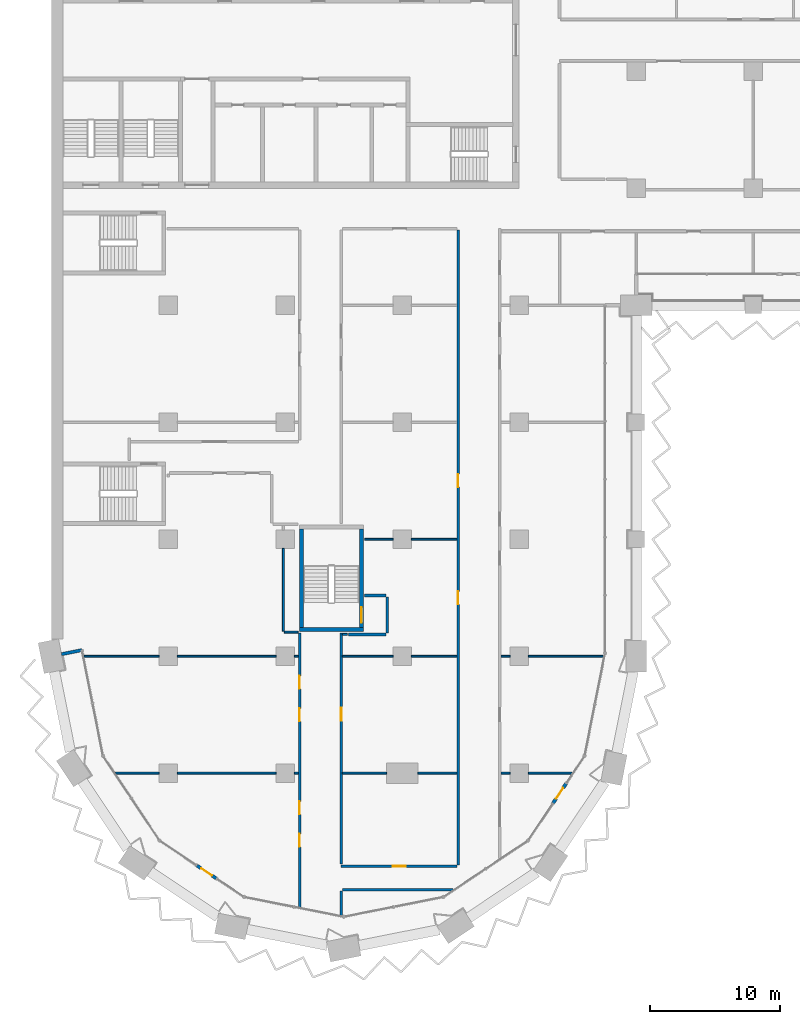
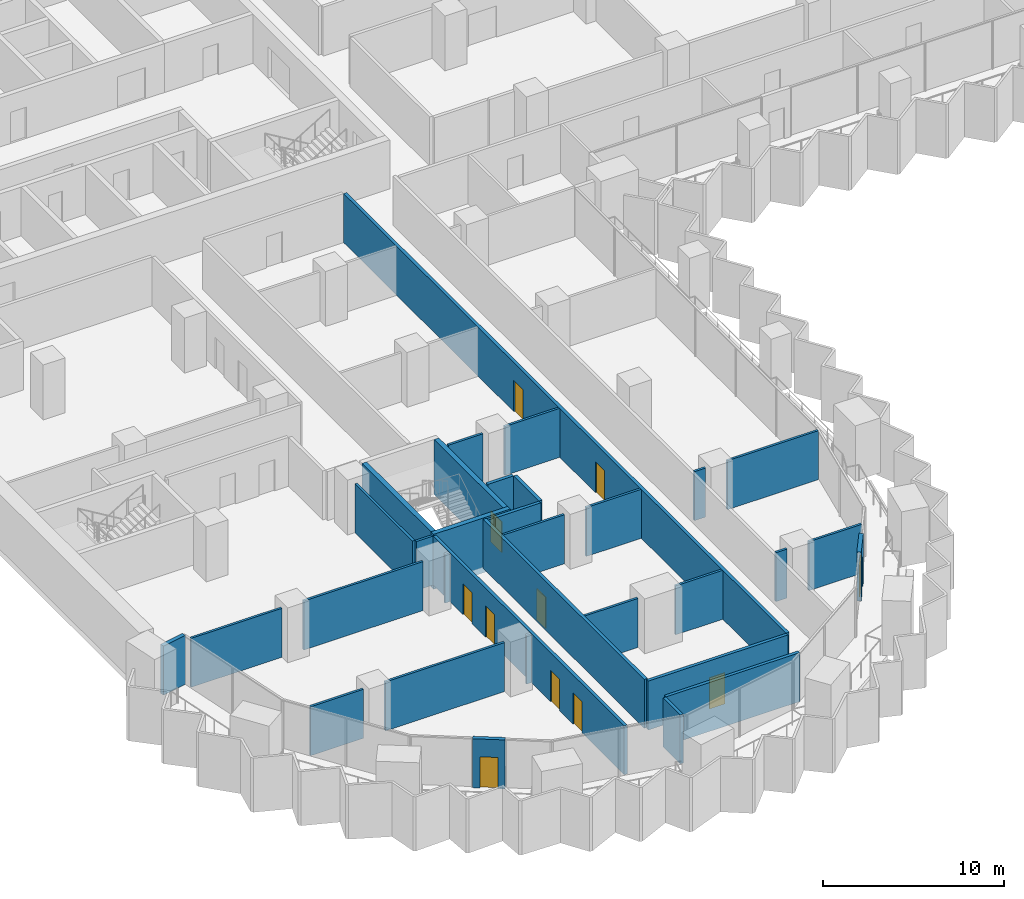
# One storey, part 10 of 29: 34 walls, 11 doors, 11 openings.
"""IFC4 building model written with IfcOpenShell, lengths in metres."""

import ifcopenshell
import ifcopenshell.guid

model = None  # the IFC model being written
_history = None  # IfcOwnerHistory: only IFC2X3 demands one
_inside = {}  # id of a spatial element -> (the spatial element, [elements in it])
_under = {}  # id of a project, library or spatial element -> (it, [spatial elements below it])
_declared = {}  # id of a project -> (the project, [libraries it declares])
_typed = {}  # id of a type object -> (the type object, [elements of that type])
_made_of = {}  # id of a material, layer set ... -> (it, [elements and type objects made of it])


def new_model(schema):
    """Start an empty IFC model of exactly this schema.

    Asked for "IFC4X3", IfcOpenShell would pick the latest addendum, in which some entities
    have other attributes; the version numbers below select the first issue.
    IFC2X3 requires an IfcOwnerHistory on every rooted entity: one is made here for all.
    """
    global model, _history
    if schema == "IFC4X3":
        model = ifcopenshell.file(schema_version=(4, 3, 0, 0))
    else:
        model = ifcopenshell.file(schema=schema)
    _inside.clear()
    _under.clear()
    _declared.clear()
    _typed.clear()
    _made_of.clear()
    _history = None
    if model.schema == "IFC2X3":
        org = make("IfcOrganization", Name="unknown")
        user = make(
            "IfcPersonAndOrganization",
            ThePerson=make("IfcPerson", FamilyName="unknown"),
            TheOrganization=org,
        )
        app = make(
            "IfcApplication",
            ApplicationDeveloper=org,
            Version="unknown",
            ApplicationFullName="unknown",
            ApplicationIdentifier="unknown",
        )
        _history = make(
            "IfcOwnerHistory",
            OwningUser=user,
            OwningApplication=app,
            ChangeAction="ADDED",
            CreationDate=0,
        )
    return model


def make(cls, **values):
    """One entity of the class cls with the attributes given. An attribute that is None is left unset."""
    return model.create_entity(
        cls, **{name: value for name, value in values.items() if value is not None}
    )


def rooted(cls, **values):
    """An entity with a GlobalId (a new one), such as an element, a storey or a relation."""
    return make(cls, GlobalId=ifcopenshell.guid.new(), OwnerHistory=_history, **values)


def si_unit(unit_type, name, prefix=None):
    """IfcSIUnit, for example si_unit("LENGTHUNIT", "METRE", prefix="MILLI")."""
    return make("IfcSIUnit", UnitType=unit_type, Prefix=prefix, Name=name)


def assignment(units):
    """IfcUnitAssignment: the units of a project."""
    return None if units is None else make("IfcUnitAssignment", Units=units)


def point(xyz):
    """IfcCartesianPoint."""
    return None if xyz is None else make("IfcCartesianPoint", Coordinates=xyz)


def direction(xyz):
    """IfcDirection."""
    return None if xyz is None else make("IfcDirection", DirectionRatios=xyz)


def frame(location, z_axis=None, x_axis=None):
    """IfcAxis2Placement3D, a coordinate frame: its origin and axes. An axis left out is left unset."""
    return make(
        "IfcAxis2Placement3D",
        Location=point(location),
        Axis=direction(z_axis),
        RefDirection=direction(x_axis),
    )


def frame_2d(location, x_axis=None):
    """IfcAxis2Placement2D, a coordinate frame in the plane: its origin and x axis."""
    return make(
        "IfcAxis2Placement2D", Location=point(location), RefDirection=direction(x_axis)
    )


def origin():
    """The frame at (0, 0, 0) with its axes left unset."""
    return frame((0.0, 0.0, 0.0))


def place(relative_to, where):
    """IfcLocalPlacement: puts the frame where relative to a parent placement (None: the world)."""
    return make(
        "IfcLocalPlacement", PlacementRelTo=relative_to, RelativePlacement=where
    )


def context(
    kind, dimensions, precision=None, world=None, true_north=None, identifier=None
):
    """IfcGeometricRepresentationContext, for example the 3D "Model" context."""
    return make(
        "IfcGeometricRepresentationContext",
        ContextIdentifier=identifier,
        ContextType=kind,
        CoordinateSpaceDimension=dimensions,
        Precision=precision,
        WorldCoordinateSystem=world,
        TrueNorth=true_north,
    )


def subcontext(parent, identifier, kind, view, scale=None):
    """IfcGeometricRepresentationSubContext, for example "Body" below "Model"."""
    return make(
        "IfcGeometricRepresentationSubContext",
        ContextIdentifier=identifier,
        ContextType=kind,
        ParentContext=parent,
        TargetScale=scale,
        TargetView=view,
    )


def project(units=None, contexts=None):
    """IfcProject with its units and contexts."""
    return rooted(
        "IfcProject",
        Name="project",
        RepresentationContexts=contexts,
        UnitsInContext=assignment(units),
    )


def spatial(cls, under=None, at=None, **own):
    """A site, building, storey or space (cls), placed at a placement, below another one or the project."""
    s = rooted(cls, ObjectPlacement=at, **own)
    if under is not None:
        _under.setdefault(under.id(), (under, []))[1].append(s)
    return s


def profile(cls, at=None, kind="AREA", **sizes):
    """A parametric profile (cls). Its sizes go by their IFC names, for example OverallWidth=200.0."""
    return make(cls, ProfileType=kind, Position=at, **sizes)


def rectangle(**sizes):
    """IfcRectangleProfileDef."""
    return profile("IfcRectangleProfileDef", **sizes)


def extrude(swept, where, along, depth):
    """IfcExtrudedAreaSolid: the profile swept, set in the frame where, extruded along a direction by depth."""
    return make(
        "IfcExtrudedAreaSolid",
        SweptArea=swept,
        Position=where,
        ExtrudedDirection=direction(along),
        Depth=depth,
    )


def shape(context_of_items, identifier, shape_type, items):
    """IfcShapeRepresentation: the items that make up one representation, for example the "Body"."""
    return make(
        "IfcShapeRepresentation",
        ContextOfItems=context_of_items,
        RepresentationIdentifier=identifier,
        RepresentationType=shape_type,
        Items=items,
    )


def material(Name=None, Category=None):
    """IfcMaterial."""
    return make("IfcMaterial", Name=Name, Category=Category)


def layer(
    of_material, thickness, ventilated=None, Name=None, Category=None, Priority=None
):
    """IfcMaterialLayer: one layer of a wall or slab, of a material (None: an air gap)."""
    return make(
        "IfcMaterialLayer",
        Material=of_material,
        LayerThickness=thickness,
        IsVentilated=ventilated,
        Name=Name,
        Category=Category,
        Priority=Priority,
    )


def layer_set(layers, Name=None):
    """IfcMaterialLayerSet."""
    return make("IfcMaterialLayerSet", MaterialLayers=layers, LayerSetName=Name)


def made_of(thing, what):
    """Note that an element or type object is made of a material, layer set ...; save() writes the relation."""
    if what is not None:
        _made_of.setdefault(what.id(), (what, []))[1].append(thing)
    return thing


def type_object(cls, material=None, **own):
    """A type object (cls), such as IfcWallType, which elements share."""
    return made_of(rooted(cls, **own), material)


def element(
    cls,
    number,
    at=None,
    inside=None,
    cuts=None,
    type_object=None,
    material=None,
    context=None,
    identifier="Body",
    shape_type=None,
    held_by="IfcProductDefinitionShape",
    body=None,
    shapes=None,
    **own,
):
    """One element of the class cls, such as IfcWall. Its Tag is "e" and its number.

    at: its placement. inside: the storey or other place that contains it. cuts: it is an
    opening in that element (IfcRelVoidsElement). A single representation is given by context,
    identifier, shape_type and body (its items); several are given by shapes. held_by: the class
    of the entity that holds the representations. save() writes the other relations.
    """
    e = rooted(cls, Tag="e%d" % number, ObjectPlacement=at, **own)
    if body is not None:
        shapes = [shape(context, identifier, shape_type, body)]
    if shapes is not None:
        e.Representation = make(held_by, Representations=shapes)
    if inside is not None:
        _inside.setdefault(inside.id(), (inside, []))[1].append(e)
    if cuts is not None:
        rooted(
            "IfcRelVoidsElement", RelatingBuildingElement=cuts, RelatedOpeningElement=e
        )
    if type_object is not None:
        _typed.setdefault(type_object.id(), (type_object, []))[1].append(e)
    return made_of(e, material)


def fill(opening, filler):
    """IfcRelFillsElement: the door or window that sits in an opening."""
    return rooted(
        "IfcRelFillsElement",
        RelatingOpeningElement=opening,
        RelatedBuildingElement=filler,
    )


def aggregate(whole, parts):
    """IfcRelAggregates: a whole, such as a stair, and the parts it consists of."""
    return rooted("IfcRelAggregates", RelatingObject=whole, RelatedObjects=parts)


def save(model, path):
    """Write the relations noted so far, then the file.

    IfcRelAggregates (storeys below a building ...), IfcRelContainedInSpatialStructure (elements
    in a storey), IfcRelDefinesByType, IfcRelAssociatesMaterial and IfcRelDeclares: one each for
    every whole, place, type object, material and project.
    """
    for whole, parts in _under.values():
        aggregate(whole, parts)
    for where, things in _inside.values():
        rooted(
            "IfcRelContainedInSpatialStructure",
            RelatedElements=things,
            RelatingStructure=where,
        )
    for kind, things in _typed.values():
        rooted("IfcRelDefinesByType", RelatedObjects=things, RelatingType=kind)
    for what, things in _made_of.values():
        rooted("IfcRelAssociatesMaterial", RelatedObjects=things, RelatingMaterial=what)
    for by, libraries in _declared.values():
        rooted("IfcRelDeclares", RelatingContext=by, RelatedDefinitions=libraries)
    model.write(path)


model = new_model("IFC4")

# Units and contexts
model_context = context("Model", 3, precision=1e-05, world=origin(), true_north=direction((0.0, 1.0)))
body_context = subcontext(model_context, "Body", "Model", "MODEL_VIEW")
ifc_project = project(units=[si_unit("LENGTHUNIT", "METRE"), si_unit("AREAUNIT", "SQUARE_METRE"), si_unit("VOLUMEUNIT", "CUBIC_METRE"), si_unit("PLANEANGLEUNIT", "RADIAN"), si_unit("MASSUNIT", "GRAM", prefix="KILO")], contexts=[model_context])

# Site, building, storey
site_placement = place(None, origin())
site = spatial("IfcSite", under=ifc_project, at=site_placement, CompositionType="ELEMENT")
building_placement = place(site_placement, origin())
building = spatial("IfcBuilding", under=site, at=building_placement, Name="Hunhe Ridgeline Campus", CompositionType="ELEMENT")
storey_placement = place(building_placement, frame((0.0, 0.0, 46.89990234375)))
storey = spatial("IfcBuildingStorey", under=building, at=storey_placement, Name="L10", CompositionType="ELEMENT", Elevation=46.89990234375)

# Walls
ifc_material_1 = material(Name="Concrete C30", Category="concrete")
ifc_layer_1 = layer(ifc_material_1, 0.25)
ifc_layer_set_1 = layer_set([ifc_layer_1], Name="Corner return wall 250 Concrete C30")
wall_type_1 = type_object("IfcWallType", Name="Corner return wall 250 Concrete C30", PredefinedType="SOLIDWALL", material=ifc_layer_set_1)
wall_1_placement = place(storey_placement, frame((0.784423828125, 27.15673828125, 0.0), z_axis=(0.0, 0.0, 1.0), x_axis=(0.980826234823, 0.19488431718, 0.0)))
element("IfcWall", 1, at=wall_1_placement, inside=storey, type_object=wall_type_1, Name="Corner return wall 1", PredefinedType="SOLIDWALL", context=body_context, shape_type="SweptSolid", body=[
    extrude(rectangle(XDim=1.60107421875, YDim=0.25, at=frame_2d((0.800537109375, 0.0))), origin(), (0.0, 0.0, 1.0), 3.300048828125),
])
ifc_material_2 = material(Name="Gypsum board partition")
ifc_layer_2 = layer(ifc_material_2, 0.199951171875)
ifc_layer_set_2 = layer_set([ifc_layer_2], Name="Corridor partition 200 gypsum board on steel studs")
wall_type_2 = type_object("IfcWallType", Name="Corridor partition 200 gypsum board on steel studs", PredefinedType="PARTITIONING", material=ifc_layer_set_2)
wall_2_placement = place(storey_placement, frame((30.921142578125, 9.0390625, 0.0), z_axis=(0.0, 0.0, 1.0), x_axis=(-1.0, 0.0, 0.0)))
element("IfcWall", 2, at=wall_2_placement, inside=storey, type_object=wall_type_2, Name="F-L10-wall-001", PredefinedType="PARTITIONING", context=body_context, shape_type="SweptSolid", body=[
    extrude(rectangle(XDim=8.521240234375, YDim=0.199951171875, at=frame_2d((4.2607421875, 0.0))), origin(), (0.0, 0.0, 1.0), 3.300048828125),
])

# Wall, opening, door
wall_3_placement = place(storey_placement, frame((22.300048828125, 10.839111328125, 0.0), z_axis=(0.0, 0.0, 1.0), x_axis=(1.0, 0.0, 0.0)))
wall_3 = element("IfcWall", 3, at=wall_3_placement, inside=storey, type_object=wall_type_2, Name="F-L10-wall-002", PredefinedType="PARTITIONING", context=body_context, shape_type="SweptSolid", body=[
    extrude(rectangle(XDim=8.89990234375, YDim=0.199951171875, at=frame_2d((4.449951171875, 0.0))), origin(), (0.0, 0.0, 1.0), 3.300048828125),
])
opening_1_placement = place(wall_3_placement, frame((3.949951171875, 0.0, 0.0)))
opening_1 = element("IfcOpeningElement", 4, at=opening_1_placement, cuts=wall_3, Name="Opening RD1-001", PredefinedType="OPENING", context=body_context, shape_type="SweptSolid", body=[
    extrude(rectangle(XDim=1.0, YDim=2.10009765625, at=frame_2d((0.5, 1.050048828125))), frame((0.0, 0.10009765625, 0.0), z_axis=(0.0, -1.0, 0.0), x_axis=(1.0, 0.0, 0.0)), (0.0, 0.0, 1.0), 0.199951171875),
])
ifc_material_3 = material(Name="Timber door leaf", Category="wood")
door_type_1 = type_object("IfcDoorType", Name="Single fire door 1000x2100 timber FD60", OperationType="NOTDEFINED", PredefinedType="DOOR", material=ifc_material_3)
door_1_placement = place(opening_1_placement, origin())
door_1 = element("IfcDoor", 5, at=door_1_placement, inside=storey, type_object=door_type_1, Name="F-L10-door-001", OperationType="SINGLE_SWING_RIGHT", OverallHeight=2.10009765625, OverallWidth=1.0, PredefinedType="DOOR", context=body_context, shape_type="SweptSolid", body=[
    extrude(rectangle(XDim=1.0, YDim=2.10009765625, at=frame_2d((0.5, 1.050048828125))), frame((0.0, 0.02490234375, 0.0), z_axis=(0.0, -1.0, 0.0), x_axis=(1.0, 0.0, 0.0)), (0.0, 0.0, 1.0), 0.050048828125),
])
fill(opening_1, door_1)

# Walls
wall_4_placement = place(storey_placement, frame((25.75, 28.675048828125, 0.0), z_axis=(0.0, 0.0, 1.0), x_axis=(-1.0, 0.0, 0.0)))
element("IfcWall", 6, at=wall_4_placement, inside=storey, type_object=wall_type_2, Name="F-L10-wall-017", PredefinedType="PARTITIONING", context=body_context, shape_type="SweptSolid", body=[
    extrude(rectangle(XDim=2.89990234375, YDim=0.199951171875, at=frame_2d((1.449951171875, 0.0))), origin(), (0.0, 0.0, 1.0), 3.300048828125),
])
wall_5_placement = place(storey_placement, frame((24.10400390625, 31.675048828125, 0.0), z_axis=(0.0, 0.0, 1.0), x_axis=(1.0, 0.0, 0.0)))
element("IfcWall", 7, at=wall_5_placement, inside=storey, type_object=wall_type_2, Name="F-L10-wall-020", PredefinedType="PARTITIONING", context=body_context, shape_type="SweptSolid", body=[
    extrude(rectangle(XDim=1.64599609375, YDim=0.199951171875, at=frame_2d((0.822998046875, 0.0))), origin(), (0.0, 0.0, 1.0), 3.300048828125),
])

# Wall, openings, doors
wall_6_placement = place(storey_placement, frame((19.10009765625, 7.679443359375, 0.0), z_axis=(0.0, 0.0, 1.0), x_axis=(0.0, 1.0, 0.0)))
wall_6 = element("IfcWall", 8, at=wall_6_placement, inside=storey, type_object=wall_type_2, Name="F-L10-wall-060", PredefinedType="PARTITIONING", context=body_context, shape_type="SweptSolid", body=[
    extrude(rectangle(XDim=21.095458984375, YDim=0.199951171875, at=frame_2d((10.5478515625, 0.0))), origin(), (0.0, 0.0, 1.0), 3.300048828125),
])
opening_2_placement = place(wall_6_placement, frame((4.648193359375, 0.0, 0.0)))
opening_2 = element("IfcOpeningElement", 9, at=opening_2_placement, cuts=wall_6, Name="Opening RD1-002", PredefinedType="OPENING", context=body_context, shape_type="SweptSolid", body=[
    extrude(rectangle(XDim=1.0, YDim=2.10009765625, at=frame_2d((0.5, 1.050048828125))), frame((0.0, 0.10009765625, 0.0), z_axis=(0.0, -1.0, 0.0), x_axis=(1.0, 0.0, 0.0)), (0.0, 0.0, 1.0), 0.199951171875),
])
opening_3_placement = place(wall_6_placement, frame((7.148193359375, 0.0, 0.0)))
opening_3 = element("IfcOpeningElement", 10, at=opening_3_placement, cuts=wall_6, Name="Opening RD1-004", PredefinedType="OPENING", context=body_context, shape_type="SweptSolid", body=[
    extrude(rectangle(XDim=1.0, YDim=2.10009765625, at=frame_2d((0.5, 1.050048828125))), frame((0.0, 0.10009765625, 0.0), z_axis=(0.0, -1.0, 0.0), x_axis=(1.0, 0.0, 0.0)), (0.0, 0.0, 1.0), 0.199951171875),
])
opening_4_placement = place(wall_6_placement, frame((14.317138671875, 0.0, 0.0)))
opening_4 = element("IfcOpeningElement", 11, at=opening_4_placement, cuts=wall_6, Name="Opening RD1-005", PredefinedType="OPENING", context=body_context, shape_type="SweptSolid", body=[
    extrude(rectangle(XDim=1.0, YDim=2.10009765625, at=frame_2d((0.5, 1.050048828125))), frame((0.0, 0.10009765625, 0.0), z_axis=(0.0, -1.0, 0.0), x_axis=(1.0, 0.0, 0.0)), (0.0, 0.0, 1.0), 0.199951171875),
])
opening_5_placement = place(wall_6_placement, frame((16.817138671875, 0.0, 0.0)))
opening_5 = element("IfcOpeningElement", 12, at=opening_5_placement, cuts=wall_6, Name="Opening RD1-008", PredefinedType="OPENING", context=body_context, shape_type="SweptSolid", body=[
    extrude(rectangle(XDim=1.0, YDim=2.10009765625, at=frame_2d((0.5, 1.050048828125))), frame((0.0, 0.10009765625, 0.0), z_axis=(0.0, -1.0, 0.0), x_axis=(1.0, 0.0, 0.0)), (0.0, 0.0, 1.0), 0.199951171875),
])
door_2_placement = place(opening_2_placement, frame((1.0, 0.0, 0.0), z_axis=(0.0, 0.0, 1.0), x_axis=(-1.0, 0.0, 0.0)))
door_2 = element("IfcDoor", 13, at=door_2_placement, inside=storey, type_object=door_type_1, Name="F-L10-door-002", OperationType="SINGLE_SWING_LEFT", OverallHeight=2.10009765625, OverallWidth=1.0, PredefinedType="DOOR", context=body_context, shape_type="SweptSolid", body=[
    extrude(rectangle(XDim=1.0, YDim=2.10009765625, at=frame_2d((0.5, 1.050048828125))), frame((0.0, 0.02490234375, 0.0), z_axis=(0.0, -1.0, 0.0), x_axis=(1.0, 0.0, 0.0)), (0.0, 0.0, 1.0), 0.050048828125),
])
fill(opening_2, door_2)
door_3_placement = place(opening_3_placement, frame((1.0, 0.0, 0.0), z_axis=(0.0, 0.0, 1.0), x_axis=(-1.0, 0.0, 0.0)))
door_3 = element("IfcDoor", 14, at=door_3_placement, inside=storey, type_object=door_type_1, Name="F-L10-door-004", OperationType="SINGLE_SWING_LEFT", OverallHeight=2.10009765625, OverallWidth=1.0, PredefinedType="DOOR", context=body_context, shape_type="SweptSolid", body=[
    extrude(rectangle(XDim=1.0, YDim=2.10009765625, at=frame_2d((0.5, 1.050048828125))), frame((0.0, 0.02490234375, 0.0), z_axis=(0.0, -1.0, 0.0), x_axis=(1.0, 0.0, 0.0)), (0.0, 0.0, 1.0), 0.050048828125),
])
fill(opening_3, door_3)
door_4_placement = place(opening_4_placement, frame((1.0, 0.0, 0.0), z_axis=(0.0, 0.0, 1.0), x_axis=(-1.0, 0.0, 0.0)))
door_4 = element("IfcDoor", 15, at=door_4_placement, inside=storey, type_object=door_type_1, Name="F-L10-door-005", OperationType="SINGLE_SWING_LEFT", OverallHeight=2.10009765625, OverallWidth=1.0, PredefinedType="DOOR", context=body_context, shape_type="SweptSolid", body=[
    extrude(rectangle(XDim=1.0, YDim=2.10009765625, at=frame_2d((0.5, 1.050048828125))), frame((0.0, 0.02490234375, 0.0), z_axis=(0.0, -1.0, 0.0), x_axis=(1.0, 0.0, 0.0)), (0.0, 0.0, 1.0), 0.050048828125),
])
fill(opening_4, door_4)
door_5_placement = place(opening_5_placement, frame((1.0, 0.0, 0.0), z_axis=(0.0, 0.0, 1.0), x_axis=(-1.0, 0.0, 0.0)))
door_5 = element("IfcDoor", 16, at=door_5_placement, inside=storey, type_object=door_type_1, Name="F-L10-door-008", OperationType="SINGLE_SWING_LEFT", OverallHeight=2.10009765625, OverallWidth=1.0, PredefinedType="DOOR", context=body_context, shape_type="SweptSolid", body=[
    extrude(rectangle(XDim=1.0, YDim=2.10009765625, at=frame_2d((0.5, 1.050048828125))), frame((0.0, 0.02490234375, 0.0), z_axis=(0.0, -1.0, 0.0), x_axis=(1.0, 0.0, 0.0)), (0.0, 0.0, 1.0), 0.050048828125),
])
fill(opening_5, door_5)

# Wall
wall_7_placement = place(storey_placement, frame((22.300048828125, 8.93896484375, 0.0), z_axis=(0.0, 0.0, 1.0), x_axis=(0.0, -1.0, 0.0)))
element("IfcWall", 17, at=wall_7_placement, inside=storey, type_object=wall_type_2, Name="F-L10-wall-062", PredefinedType="PARTITIONING", context=body_context, shape_type="SweptSolid", body=[
    extrude(rectangle(XDim=1.89599609375, YDim=0.199951171875, at=frame_2d((0.947998046875, 0.0))), origin(), (0.0, 0.0, 1.0), 3.300048828125),
])

# Wall, opening, door
wall_8_placement = place(storey_placement, frame((22.300048828125, 28.7958984375, 0.0), z_axis=(0.0, 0.0, 1.0), x_axis=(0.0, -1.0, 0.0)))
wall_8 = element("IfcWall", 18, at=wall_8_placement, inside=storey, type_object=wall_type_2, Name="F-L10-wall-063", PredefinedType="PARTITIONING", context=body_context, shape_type="SweptSolid", body=[
    extrude(rectangle(XDim=17.7978515625, YDim=0.199951171875, at=frame_2d((8.89892578125, 0.0))), origin(), (0.0, 0.0, 1.0), 3.300048828125),
])
opening_6_placement = place(wall_8_placement, frame((5.766845703125, 0.0, 0.0)))
opening_6 = element("IfcOpeningElement", 19, at=opening_6_placement, cuts=wall_8, Name="Opening RD1-006", PredefinedType="OPENING", context=body_context, shape_type="SweptSolid", body=[
    extrude(rectangle(XDim=1.0, YDim=2.10009765625, at=frame_2d((0.5, 1.050048828125))), frame((0.0, 0.10009765625, 0.0), z_axis=(0.0, -1.0, 0.0), x_axis=(1.0, 0.0, 0.0)), (0.0, 0.0, 1.0), 0.199951171875),
])
door_6_placement = place(opening_6_placement, origin())
door_6 = element("IfcDoor", 20, at=door_6_placement, inside=storey, type_object=door_type_1, Name="F-L10-door-006", OperationType="SINGLE_SWING_LEFT", OverallHeight=2.10009765625, OverallWidth=1.0, PredefinedType="DOOR", context=body_context, shape_type="SweptSolid", body=[
    extrude(rectangle(XDim=1.0, YDim=2.10009765625, at=frame_2d((0.5, 1.050048828125))), frame((0.0, 0.02490234375, 0.0), z_axis=(0.0, -1.0, 0.0), x_axis=(1.0, 0.0, 0.0)), (0.0, 0.0, 1.0), 0.050048828125),
])
fill(opening_6, door_6)

# Wall
wall_9_placement = place(storey_placement, frame((25.85009765625, 31.574951171875, 0.0), z_axis=(0.0, 0.0, 1.0), x_axis=(0.0, -1.0, 0.0)))
element("IfcWall", 21, at=wall_9_placement, inside=storey, type_object=wall_type_2, Name="F-L10-wall-065", PredefinedType="PARTITIONING", context=body_context, shape_type="SweptSolid", body=[
    extrude(rectangle(XDim=2.800048828125, YDim=0.199951171875, at=frame_2d((1.39990234375, 0.0))), origin(), (0.0, 0.0, 1.0), 3.300048828125),
])

# Wall, openings, doors
wall_10_placement = place(storey_placement, frame((31.300048828125, 10.93896484375, 0.0), z_axis=(0.0, 0.0, 1.0), x_axis=(0.0, 1.0, 0.0)))
wall_10 = element("IfcWall", 22, at=wall_10_placement, inside=storey, type_object=wall_type_2, Name="F-L10-wall-066", PredefinedType="PARTITIONING", context=body_context, shape_type="SweptSolid", body=[
    extrude(rectangle(XDim=48.861083984375, YDim=0.199951171875, at=frame_2d((24.4306640625, 0.0))), origin(), (0.0, 0.0, 1.0), 3.300048828125),
])
opening_7_placement = place(wall_10_placement, frame((20.046630859375, 0.0, 0.0)))
opening_7 = element("IfcOpeningElement", 23, at=opening_7_placement, cuts=wall_10, Name="Opening RD1-009", PredefinedType="OPENING", context=body_context, shape_type="SweptSolid", body=[
    extrude(rectangle(XDim=1.0, YDim=2.10009765625, at=frame_2d((0.5, 1.050048828125))), frame((0.0, 0.10009765625, 0.0), z_axis=(0.0, -1.0, 0.0), x_axis=(1.0, 0.0, 0.0)), (0.0, 0.0, 1.0), 0.199951171875),
])
opening_8_placement = place(wall_10_placement, frame((29.067138671875, 0.0, 0.0)))
opening_8 = element("IfcOpeningElement", 24, at=opening_8_placement, cuts=wall_10, Name="Opening RD1-012", PredefinedType="OPENING", context=body_context, shape_type="SweptSolid", body=[
    extrude(rectangle(XDim=1.0, YDim=2.10009765625, at=frame_2d((0.5, 1.050048828125))), frame((0.0, 0.10009765625, 0.0), z_axis=(0.0, -1.0, 0.0), x_axis=(1.0, 0.0, 0.0)), (0.0, 0.0, 1.0), 0.199951171875),
])
door_7_placement = place(opening_7_placement, origin())
door_7 = element("IfcDoor", 25, at=door_7_placement, inside=storey, type_object=door_type_1, Name="F-L10-door-009", OperationType="SINGLE_SWING_RIGHT", OverallHeight=2.10009765625, OverallWidth=1.0, PredefinedType="DOOR", context=body_context, shape_type="SweptSolid", body=[
    extrude(rectangle(XDim=1.0, YDim=2.10009765625, at=frame_2d((0.5, 1.050048828125))), frame((0.0, 0.02490234375, 0.0), z_axis=(0.0, -1.0, 0.0), x_axis=(1.0, 0.0, 0.0)), (0.0, 0.0, 1.0), 0.050048828125),
])
fill(opening_7, door_7)
door_8_placement = place(opening_8_placement, origin())
door_8 = element("IfcDoor", 26, at=door_8_placement, inside=storey, type_object=door_type_1, Name="F-L10-door-012", OperationType="SINGLE_SWING_RIGHT", OverallHeight=2.10009765625, OverallWidth=1.0, PredefinedType="DOOR", context=body_context, shape_type="SweptSolid", body=[
    extrude(rectangle(XDim=1.0, YDim=2.10009765625, at=frame_2d((0.5, 1.050048828125))), frame((0.0, 0.02490234375, 0.0), z_axis=(0.0, -1.0, 0.0), x_axis=(1.0, 0.0, 0.0)), (0.0, 0.0, 1.0), 0.050048828125),
])
fill(opening_8, door_8)

# Wall, opening, door
ifc_layer_3 = layer(ifc_material_1, 0.25)
ifc_layer_set_3 = layer_set([ifc_layer_3], Name="Loggia door pier wall 250 Concrete C30")
wall_type_3 = type_object("IfcWallType", Name="Loggia door pier wall 250 Concrete C30", PredefinedType="SOLIDWALL", material=ifc_layer_set_3)
wall_11_placement = place(storey_placement, frame((11.19970703125, 10.897705078125, 0.0), z_axis=(0.0, 0.0, 1.0), x_axis=(0.83146554274, -0.555576323502, 0.0)))
wall_11 = element("IfcWall", 27, at=wall_11_placement, inside=storey, type_object=wall_type_3, Name="Loggia door pier 1", PredefinedType="SOLIDWALL", context=body_context, shape_type="SweptSolid", body=[
    extrude(rectangle(XDim=1.800048828125, YDim=0.25, at=frame_2d((0.89990234375, 0.0))), origin(), (0.0, 0.0, 1.0), 3.300048828125),
])
opening_9_placement = place(wall_11_placement, frame((0.39990234375, 0.0, 0.0)))
opening_9 = element("IfcOpeningElement", 28, at=opening_9_placement, cuts=wall_11, Name="Opening BD102", PredefinedType="OPENING", context=body_context, shape_type="SweptSolid", body=[
    extrude(rectangle(XDim=1.0, YDim=2.10009765625, at=frame_2d((0.5, 1.050048828125))), frame((0.0, 0.125, 0.0), z_axis=(0.0, -1.0, 0.0), x_axis=(1.0, 0.0, 0.0)), (0.0, 0.0, 1.0), 0.25),
])
ifc_material_4 = material(Name="Aluminium 6063", Category="aluminium")
door_type_2 = type_object("IfcDoorType", Name="Loggia glazed door 1000x2100", OperationType="NOTDEFINED", PredefinedType="DOOR", material=ifc_material_4)
door_9_placement = place(opening_9_placement, frame((1.0, 0.0, 0.0), z_axis=(0.0, 0.0, 1.0), x_axis=(-1.0, 0.0, 0.0)))
door_9 = element("IfcDoor", 29, at=door_9_placement, inside=storey, type_object=door_type_2, Name="Loggia door BD102", OperationType="SINGLE_SWING_LEFT", OverallHeight=2.10009765625, OverallWidth=1.0, PredefinedType="DOOR", context=body_context, shape_type="SweptSolid", body=[
    extrude(rectangle(XDim=1.0, YDim=2.10009765625, at=frame_2d((0.5, 1.050048828125))), frame((0.0, 0.02490234375, 0.0), z_axis=(0.0, -1.0, 0.0), x_axis=(1.0, 0.0, 0.0)), (0.0, 0.0, 1.0), 0.050048828125),
])
fill(opening_9, door_9)

wall_12_placement = place(storey_placement, frame((38.602294921875, 15.69970703125, 0.0), z_axis=(0.0, 0.0, 1.0), x_axis=(0.555576323502, 0.83146554274, 0.0)))
wall_12 = element("IfcWall", 30, at=wall_12_placement, inside=storey, type_object=wall_type_3, Name="Loggia door pier 2", PredefinedType="SOLIDWALL", context=body_context, shape_type="SweptSolid", body=[
    extrude(rectangle(XDim=1.800048828125, YDim=0.25, at=frame_2d((0.89990234375, 0.0))), origin(), (0.0, 0.0, 1.0), 3.300048828125),
])
opening_10_placement = place(wall_12_placement, frame((0.39990234375, 0.0, 0.0)))
opening_10 = element("IfcOpeningElement", 31, at=opening_10_placement, cuts=wall_12, Name="Opening BD104", PredefinedType="OPENING", context=body_context, shape_type="SweptSolid", body=[
    extrude(rectangle(XDim=1.0, YDim=2.10009765625, at=frame_2d((0.5, 1.050048828125))), frame((0.0, 0.125, 0.0), z_axis=(0.0, -1.0, 0.0), x_axis=(1.0, 0.0, 0.0)), (0.0, 0.0, 1.0), 0.25),
])
door_10_placement = place(opening_10_placement, frame((1.0, 0.0, 0.0), z_axis=(0.0, 0.0, 1.0), x_axis=(-1.0, 0.0, 0.0)))
door_10 = element("IfcDoor", 32, at=door_10_placement, inside=storey, type_object=door_type_2, Name="Loggia door BD104", OperationType="SINGLE_SWING_LEFT", OverallHeight=2.10009765625, OverallWidth=1.0, PredefinedType="DOOR", context=body_context, shape_type="SweptSolid", body=[
    extrude(rectangle(XDim=1.0, YDim=2.10009765625, at=frame_2d((0.5, 1.050048828125))), frame((0.0, 0.02490234375, 0.0), z_axis=(0.0, -1.0, 0.0), x_axis=(1.0, 0.0, 0.0)), (0.0, 0.0, 1.0), 0.050048828125),
])
fill(opening_10, door_10)

# Walls
ifc_layer_4 = layer(ifc_material_2, 0.14990234375)
ifc_layer_set_4 = layer_set([ifc_layer_4], Name="Room partition 150 gypsum board on steel studs")
wall_type_4 = type_object("IfcWallType", Name="Room partition 150 gypsum board on steel studs", PredefinedType="PARTITIONING", material=ifc_layer_set_4)
wall_13_placement = place(storey_placement, frame((4.925537109375, 18.0, 0.0), z_axis=(0.0, 0.0, 1.0), x_axis=(1.0, 0.0, 0.0)))
element("IfcWall", 33, at=wall_13_placement, inside=storey, type_object=wall_type_4, Name="F-L10-wall-003", PredefinedType="PARTITIONING", context=body_context, shape_type="SweptSolid", body=[
    extrude(rectangle(XDim=3.37451171875, YDim=0.14990234375, at=frame_2d((1.687255859375, 0.0))), origin(), (0.0, 0.0, 1.0), 3.300048828125),
])
wall_14_placement = place(storey_placement, frame((9.699951171875, 18.0, 0.0), z_axis=(0.0, 0.0, 1.0), x_axis=(1.0, 0.0, 0.0)))
element("IfcWall", 34, at=wall_14_placement, inside=storey, type_object=wall_type_4, Name="F-L10-wall-004", PredefinedType="PARTITIONING", context=body_context, shape_type="SweptSolid", body=[
    extrude(rectangle(XDim=7.60009765625, YDim=0.14990234375, at=frame_2d((3.800048828125, 0.0))), origin(), (0.0, 0.0, 1.0), 3.300048828125),
])
wall_15_placement = place(storey_placement, frame((18.699951171875, 18.0, 0.0), z_axis=(0.0, 0.0, 1.0), x_axis=(1.0, 0.0, 0.0)))
element("IfcWall", 35, at=wall_15_placement, inside=storey, type_object=wall_type_4, Name="F-L10-wall-005", PredefinedType="PARTITIONING", context=body_context, shape_type="SweptSolid", body=[
    extrude(rectangle(XDim=0.300048828125, YDim=0.14990234375, at=frame_2d((0.14990234375, 0.0))), origin(), (0.0, 0.0, 1.0), 3.300048828125),
])
wall_16_placement = place(storey_placement, frame((22.39990234375, 18.0, 0.0), z_axis=(0.0, 0.0, 1.0), x_axis=(1.0, 0.0, 0.0)))
element("IfcWall", 36, at=wall_16_placement, inside=storey, type_object=wall_type_4, Name="F-L10-wall-006", PredefinedType="PARTITIONING", context=body_context, shape_type="SweptSolid", body=[
    extrude(rectangle(XDim=3.400146484375, YDim=0.14990234375, at=frame_2d((1.7001953125, 0.0))), origin(), (0.0, 0.0, 1.0), 3.300048828125),
])
wall_17_placement = place(storey_placement, frame((28.199951171875, 18.0, 0.0), z_axis=(0.0, 0.0, 1.0), x_axis=(1.0, 0.0, 0.0)))
element("IfcWall", 37, at=wall_17_placement, inside=storey, type_object=wall_type_4, Name="F-L10-wall-007", PredefinedType="PARTITIONING", context=body_context, shape_type="SweptSolid", body=[
    extrude(rectangle(XDim=3.0, YDim=0.14990234375, at=frame_2d((1.5, 0.0))), origin(), (0.0, 0.0, 1.0), 3.300048828125),
])
wall_18_placement = place(storey_placement, frame((34.60009765625, 18.0, 0.0), z_axis=(0.0, 0.0, 1.0), x_axis=(1.0, 0.0, 0.0)))
element("IfcWall", 38, at=wall_18_placement, inside=storey, type_object=wall_type_4, Name="F-L10-wall-008", PredefinedType="PARTITIONING", context=body_context, shape_type="SweptSolid", body=[
    extrude(rectangle(XDim=0.699951171875, YDim=0.14990234375, at=frame_2d((0.35009765625, 0.0))), origin(), (0.0, 0.0, 1.0), 3.300048828125),
])
wall_19_placement = place(storey_placement, frame((36.699951171875, 18.0, 0.0), z_axis=(0.0, 0.0, 1.0), x_axis=(1.0, 0.0, 0.0)))
element("IfcWall", 39, at=wall_19_placement, inside=storey, type_object=wall_type_4, Name="F-L10-wall-009", PredefinedType="PARTITIONING", context=body_context, shape_type="SweptSolid", body=[
    extrude(rectangle(XDim=3.37451171875, YDim=0.14990234375, at=frame_2d((1.687255859375, 0.0))), origin(), (0.0, 0.0, 1.0), 3.300048828125),
])
wall_20_placement = place(storey_placement, frame((2.503173828125, 27.0, 0.0), z_axis=(0.0, 0.0, 1.0), x_axis=(1.0, 0.0, 0.0)))
element("IfcWall", 40, at=wall_20_placement, inside=storey, type_object=wall_type_4, Name="F-L10-wall-010", PredefinedType="PARTITIONING", context=body_context, shape_type="SweptSolid", body=[
    extrude(rectangle(XDim=5.796875, YDim=0.14990234375, at=frame_2d((2.8984375, 0.0))), origin(), (0.0, 0.0, 1.0), 3.300048828125),
])
wall_21_placement = place(storey_placement, frame((9.699951171875, 27.0, 0.0), z_axis=(0.0, 0.0, 1.0), x_axis=(1.0, 0.0, 0.0)))
element("IfcWall", 41, at=wall_21_placement, inside=storey, type_object=wall_type_4, Name="F-L10-wall-011", PredefinedType="PARTITIONING", context=body_context, shape_type="SweptSolid", body=[
    extrude(rectangle(XDim=7.60009765625, YDim=0.14990234375, at=frame_2d((3.800048828125, 0.0))), origin(), (0.0, 0.0, 1.0), 3.300048828125),
])
wall_22_placement = place(storey_placement, frame((18.699951171875, 27.0, 0.0), z_axis=(0.0, 0.0, 1.0), x_axis=(1.0, 0.0, 0.0)))
element("IfcWall", 42, at=wall_22_placement, inside=storey, type_object=wall_type_4, Name="F-L10-wall-012", PredefinedType="PARTITIONING", context=body_context, shape_type="SweptSolid", body=[
    extrude(rectangle(XDim=0.300048828125, YDim=0.14990234375, at=frame_2d((0.14990234375, 0.0))), origin(), (0.0, 0.0, 1.0), 3.300048828125),
])
wall_23_placement = place(storey_placement, frame((22.39990234375, 27.0, 0.0), z_axis=(0.0, 0.0, 1.0), x_axis=(1.0, 0.0, 0.0)))
element("IfcWall", 43, at=wall_23_placement, inside=storey, type_object=wall_type_4, Name="F-L10-wall-013", PredefinedType="PARTITIONING", context=body_context, shape_type="SweptSolid", body=[
    extrude(rectangle(XDim=3.900146484375, YDim=0.14990234375, at=frame_2d((1.9501953125, 0.0))), origin(), (0.0, 0.0, 1.0), 3.300048828125),
])
wall_24_placement = place(storey_placement, frame((27.699951171875, 27.0, 0.0), z_axis=(0.0, 0.0, 1.0), x_axis=(1.0, 0.0, 0.0)))
element("IfcWall", 44, at=wall_24_placement, inside=storey, type_object=wall_type_4, Name="F-L10-wall-014", PredefinedType="PARTITIONING", context=body_context, shape_type="SweptSolid", body=[
    extrude(rectangle(XDim=3.5, YDim=0.14990234375, at=frame_2d((1.75, 0.0))), origin(), (0.0, 0.0, 1.0), 3.300048828125),
])
wall_25_placement = place(storey_placement, frame((34.60009765625, 27.0, 0.0), z_axis=(0.0, 0.0, 1.0), x_axis=(1.0, 0.0, 0.0)))
element("IfcWall", 45, at=wall_25_placement, inside=storey, type_object=wall_type_4, Name="F-L10-wall-015", PredefinedType="PARTITIONING", context=body_context, shape_type="SweptSolid", body=[
    extrude(rectangle(XDim=0.699951171875, YDim=0.14990234375, at=frame_2d((0.35009765625, 0.0))), origin(), (0.0, 0.0, 1.0), 3.300048828125),
])
wall_26_placement = place(storey_placement, frame((36.699951171875, 27.0, 0.0), z_axis=(0.0, 0.0, 1.0), x_axis=(1.0, 0.0, 0.0)))
element("IfcWall", 46, at=wall_26_placement, inside=storey, type_object=wall_type_4, Name="F-L10-wall-016", PredefinedType="PARTITIONING", context=body_context, shape_type="SweptSolid", body=[
    extrude(rectangle(XDim=5.796875, YDim=0.14990234375, at=frame_2d((2.8984375, 0.0))), origin(), (0.0, 0.0, 1.0), 3.300048828125),
])
wall_27_placement = place(storey_placement, frame((22.39990234375, 28.675048828125, 0.0), z_axis=(0.0, 0.0, 1.0), x_axis=(1.0, 0.0, 0.0)))
element("IfcWall", 47, at=wall_27_placement, inside=storey, type_object=wall_type_4, Name="F-L10-wall-018", PredefinedType="PARTITIONING", context=body_context, shape_type="SweptSolid", body=[
    extrude(rectangle(XDim=0.379638671875, YDim=0.14990234375, at=frame_2d((0.18994140625, 0.0))), origin(), (0.0, 0.0, 1.0), 3.300048828125),
])
wall_28_placement = place(storey_placement, frame((17.925048828125, 28.85009765625, 0.0), z_axis=(0.0, 0.0, 1.0), x_axis=(1.0, 0.0, 0.0)))
element("IfcWall", 48, at=wall_28_placement, inside=storey, type_object=wall_type_4, Name="F-L10-wall-019", PredefinedType="PARTITIONING", context=body_context, shape_type="SweptSolid", body=[
    extrude(rectangle(XDim=1.071044921875, YDim=0.14990234375, at=frame_2d((0.53564453125, 0.0))), origin(), (0.0, 0.0, 1.0), 3.300048828125),
])
wall_29_placement = place(storey_placement, frame((24.10400390625, 36.0, 0.0), z_axis=(0.0, 0.0, 1.0), x_axis=(1.0, 0.0, 0.0)))
element("IfcWall", 49, at=wall_29_placement, inside=storey, type_object=wall_type_4, Name="F-L10-wall-021", PredefinedType="PARTITIONING", context=body_context, shape_type="SweptSolid", body=[
    extrude(rectangle(XDim=2.196044921875, YDim=0.14990234375, at=frame_2d((1.09814453125, 0.0))), origin(), (0.0, 0.0, 1.0), 3.300048828125),
])
wall_30_placement = place(storey_placement, frame((27.699951171875, 36.0, 0.0), z_axis=(0.0, 0.0, 1.0), x_axis=(1.0, 0.0, 0.0)))
element("IfcWall", 50, at=wall_30_placement, inside=storey, type_object=wall_type_4, Name="F-L10-wall-022", PredefinedType="PARTITIONING", context=body_context, shape_type="SweptSolid", body=[
    extrude(rectangle(XDim=3.5, YDim=0.14990234375, at=frame_2d((1.75, 0.0))), origin(), (0.0, 0.0, 1.0), 3.300048828125),
])
wall_31_placement = place(storey_placement, frame((17.85009765625, 35.300048828125, 0.0), z_axis=(0.0, 0.0, 1.0), x_axis=(0.0, -1.0, 0.0)))
element("IfcWall", 51, at=wall_31_placement, inside=storey, type_object=wall_type_4, Name="F-L10-wall-058", PredefinedType="PARTITIONING", context=body_context, shape_type="SweptSolid", body=[
    extrude(rectangle(XDim=6.375, YDim=0.14990234375, at=frame_2d((3.1875, 0.0))), origin(), (0.0, 0.0, 1.0), 3.300048828125),
])
ifc_material_5 = material(Name="Concrete C80", Category="concrete")
ifc_layer_5 = layer(ifc_material_5, 0.300048828125)
ifc_layer_set_5 = layer_set([ifc_layer_5], Name="Stair wall 300 reinforced concrete C80")
wall_type_5 = type_object("IfcWallType", Name="Stair wall 300 reinforced concrete C80", PredefinedType="SOLIDWALL", material=ifc_layer_set_5)
wall_32_placement = place(storey_placement, frame((19.10009765625, 29.050048828125, -0.39990234375), z_axis=(0.0, 0.0, 1.0), x_axis=(1.0, 0.0, 0.0)))
element("IfcWall", 52, at=wall_32_placement, inside=storey, type_object=wall_type_5, Name="L10 core wall 1", PredefinedType="SOLIDWALL", context=body_context, shape_type="SweptSolid", body=[
    extrude(rectangle(XDim=4.89990234375, YDim=0.300048828125, at=frame_2d((2.449951171875, 0.0))), origin(), (0.0, 0.0, 1.0), 3.699951171875),
])
wall_33_placement = place(storey_placement, frame((19.25, 29.199951171875, -0.39990234375), z_axis=(0.0, 0.0, 1.0), x_axis=(0.0, 1.0, 0.0)))
element("IfcWall", 53, at=wall_33_placement, inside=storey, type_object=wall_type_5, Name="L10 core wall 50", PredefinedType="SOLIDWALL", context=body_context, shape_type="SweptSolid", body=[
    extrude(rectangle(XDim=7.60009765625, YDim=0.300048828125, at=frame_2d((3.800048828125, 0.0))), origin(), (0.0, 0.0, 1.0), 3.699951171875),
])

# Wall, opening, door
wall_34_placement = place(storey_placement, frame((23.85009765625, 29.199951171875, -0.39990234375), z_axis=(0.0, 0.0, 1.0), x_axis=(0.0, 1.0, 0.0)))
wall_34 = element("IfcWall", 54, at=wall_34_placement, inside=storey, type_object=wall_type_5, Name="L10 core wall 55", PredefinedType="SOLIDWALL", context=body_context, shape_type="SweptSolid", body=[
    extrude(rectangle(XDim=7.60009765625, YDim=0.300048828125, at=frame_2d((3.800048828125, 0.0))), origin(), (0.0, 0.0, 1.0), 3.699951171875),
])
opening_11_placement = place(wall_34_placement, frame((0.375, 0.0, 0.39990234375)))
opening_11 = element("IfcOpeningElement", 55, at=opening_11_placement, cuts=wall_34, Name="Opening CD23", PredefinedType="OPENING", context=body_context, shape_type="SweptSolid", body=[
    extrude(rectangle(XDim=1.199951171875, YDim=2.10009765625, at=frame_2d((0.60009765625, 1.050048828125))), frame((0.0, 0.14990234375, 0.0), z_axis=(0.0, -1.0, 0.0), x_axis=(1.0, 0.0, 0.0)), (0.0, 0.0, 1.0), 0.300048828125),
])
ifc_material_6 = material(Name="Hollow metal fire door leaf")
door_type_3 = type_object("IfcDoorType", Name="Stair door 1200x2100 FD60", OperationType="SINGLE_SWING_LEFT", PredefinedType="DOOR", material=ifc_material_6)
door_11_placement = place(opening_11_placement, frame((1.199951171875, 0.0, 0.0), z_axis=(0.0, 0.0, 1.0), x_axis=(-1.0, 0.0, 0.0)))
door_11 = element("IfcDoor", 56, at=door_11_placement, inside=storey, type_object=door_type_3, Name="L10 door W3", OperationType="SINGLE_SWING_RIGHT", OverallHeight=2.10009765625, OverallWidth=1.199951171875, PredefinedType="DOOR", context=body_context, shape_type="SweptSolid", body=[
    extrude(rectangle(XDim=1.199951171875, YDim=2.10009765625, at=frame_2d((0.60009765625, 1.050048828125))), frame((0.0, 0.02490234375, 0.0), z_axis=(0.0, -1.0, 0.0), x_axis=(1.0, 0.0, 0.0)), (0.0, 0.0, 1.0), 0.050048828125),
])
fill(opening_11, door_11)

save(model, "model.ifc")
